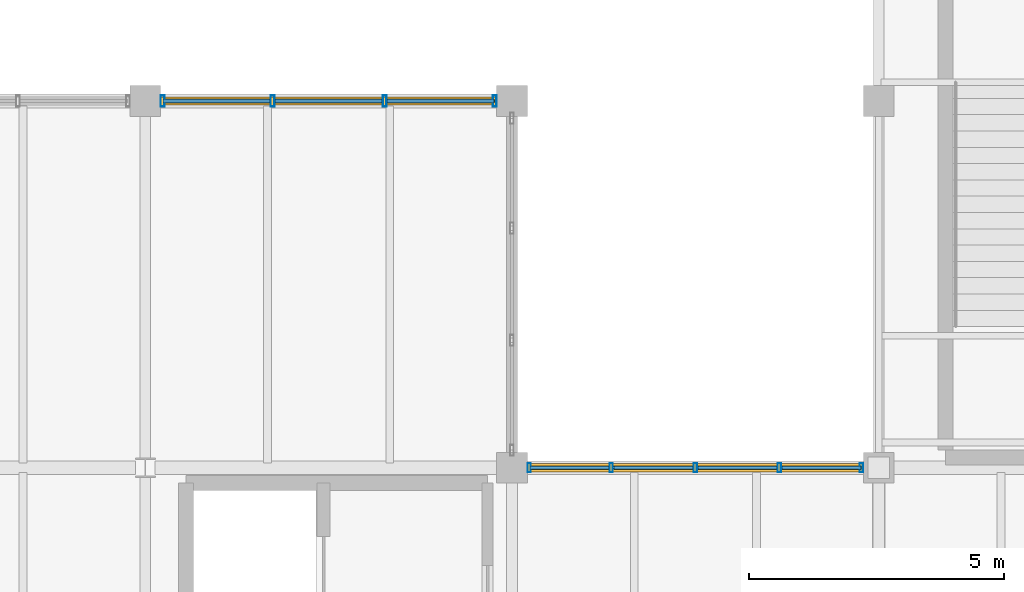
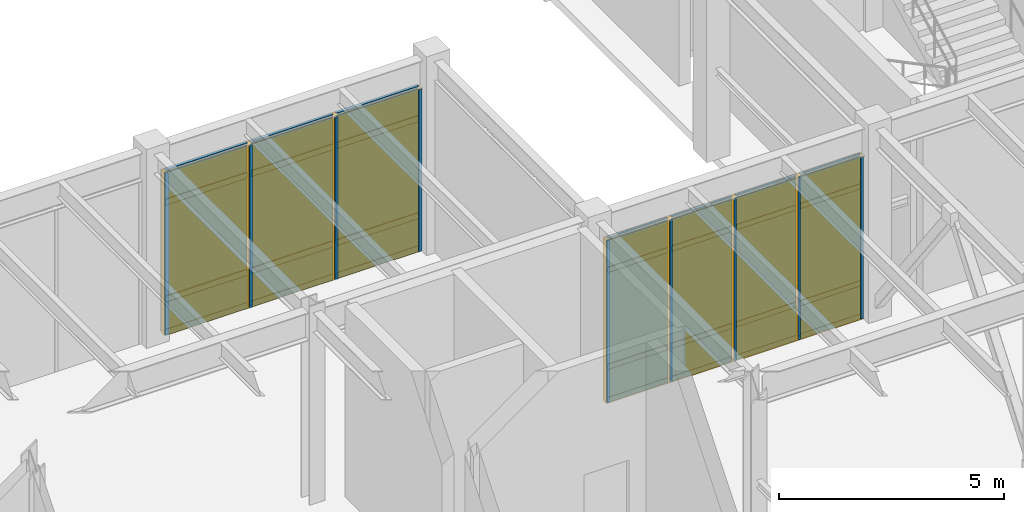
# One storey, part 62 of 97: 37 members, 14 plates, 2 curtain walls.
"""IFC4 building model written with IfcOpenShell, lengths in metres."""

from ifc_helpers import new_model, si_unit, direction, frame, origin, origin_2d, place, context, subcontext, project, spatial, rectangle, hollow_rectangle, extrude, material, layer, layer_set, material_profile, profile_set, type_object, element, aggregate, save


model = new_model("IFC4")

# Units and contexts
model_context = context("Model", 3, precision=1e-05, world=origin(), true_north=direction((0.0, 1.0)))
body_context = subcontext(model_context, "Body", "Model", "MODEL_VIEW")
ifc_project = project(units=[si_unit("LENGTHUNIT", "METRE"), si_unit("AREAUNIT", "SQUARE_METRE"), si_unit("VOLUMEUNIT", "CUBIC_METRE"), si_unit("PLANEANGLEUNIT", "RADIAN"), si_unit("MASSUNIT", "GRAM", prefix="KILO")], contexts=[model_context])

# Member
ifc_material_1 = material(Name="Anodized Aluminium 6063-T6", Category="aluminium")
ifc_material_profile_1 = material_profile(ifc_material_1, hollow_rectangle(XDim=0.06494140625, YDim=0.179931640625, WallThickness=0.00390625, at=origin_2d()), Name="ALU 65x180x4")
ifc_profile_set_1 = profile_set([ifc_material_profile_1], Name="Anodized Aluminium 6063-T6")
member_type_1 = type_object("IfcMemberType", Name="CWM-65X150", PredefinedType="MULLION", material=ifc_profile_set_1)
site_placement = place(None, origin())
building_placement = place(site_placement, origin())
storey_placement = place(building_placement, origin())
member_1_placement = place(storey_placement, frame((115.5400390625, 50.39990234375, 0.02001953125), z_axis=(0.0, 0.0, 1.0), x_axis=(1.0, 0.0, 0.0)))
member_1 = element("IfcMember", 1, at=member_1_placement, type_object=member_type_1, Name="Curtain wall mullion CW-L01-16-06-N-00", PredefinedType="MULLION", context=body_context, shape_type="SweptSolid", body=[
    extrude(hollow_rectangle(XDim=0.06494140625, YDim=0.179931640625, WallThickness=0.00390625, at=origin_2d()), origin(), (0.0, 0.0, 1.0), 4.39794921875),
])

member_2_placement = place(storey_placement, frame((117.14990234375, 50.39990234375, 0.02001953125), z_axis=(0.0, 0.0, 1.0), x_axis=(1.0, 0.0, 0.0)))
member_2 = element("IfcMember", 2, at=member_2_placement, type_object=member_type_1, Name="Curtain wall mullion CW-L01-16-06-N-01", PredefinedType="MULLION", context=body_context, shape_type="SweptSolid", body=[
    extrude(hollow_rectangle(XDim=0.06494140625, YDim=0.179931640625, WallThickness=0.00390625, at=origin_2d()), origin(), (0.0, 0.0, 1.0), 4.39794921875),
])

member_3_placement = place(storey_placement, frame((118.800048828125, 50.39990234375, 0.02001953125), z_axis=(0.0, 0.0, 1.0), x_axis=(1.0, 0.0, 0.0)))
member_3 = element("IfcMember", 3, at=member_3_placement, type_object=member_type_1, Name="Curtain wall mullion CW-L01-16-06-N-02", PredefinedType="MULLION", context=body_context, shape_type="SweptSolid", body=[
    extrude(hollow_rectangle(XDim=0.06494140625, YDim=0.179931640625, WallThickness=0.00390625, at=origin_2d()), origin(), (0.0, 0.0, 1.0), 4.39794921875),
])

member_4_placement = place(storey_placement, frame((120.449951171875, 50.39990234375, 0.02001953125), z_axis=(0.0, 0.0, 1.0), x_axis=(1.0, 0.0, 0.0)))
member_4 = element("IfcMember", 4, at=member_4_placement, type_object=member_type_1, Name="Curtain wall mullion CW-L01-16-06-N-03", PredefinedType="MULLION", context=body_context, shape_type="SweptSolid", body=[
    extrude(hollow_rectangle(XDim=0.06494140625, YDim=0.179931640625, WallThickness=0.00390625, at=origin_2d()), origin(), (0.0, 0.0, 1.0), 4.39794921875),
])

member_5_placement = place(storey_placement, frame((122.06005859375, 50.39990234375, 0.02001953125), z_axis=(0.0, 0.0, 1.0), x_axis=(1.0, 0.0, 0.0)))
member_5 = element("IfcMember", 5, at=member_5_placement, type_object=member_type_1, Name="Curtain wall mullion CW-L01-16-06-N-04", PredefinedType="MULLION", context=body_context, shape_type="SweptSolid", body=[
    extrude(hollow_rectangle(XDim=0.06494140625, YDim=0.179931640625, WallThickness=0.00390625, at=origin_2d()), origin(), (0.0, 0.0, 1.0), 4.39794921875),
])

ifc_material_profile_2 = material_profile(ifc_material_1, hollow_rectangle(XDim=0.074951171875, YDim=0.219970703125, WallThickness=0.0048828125, at=origin_2d()), Name="ALU 75x220x5")
ifc_profile_set_2 = profile_set([ifc_material_profile_2], Name="Anodized Aluminium 6063-T6")
member_type_2 = type_object("IfcMemberType", Name="CWM-75X180", PredefinedType="MULLION", material=ifc_profile_set_2)
member_6_placement = place(storey_placement, frame((108.340087890625, 57.60009765625, 0.02001953125), z_axis=(0.0, 0.0, 1.0), x_axis=(1.0, 0.0, 0.0)))
member_6 = element("IfcMember", 6, at=member_6_placement, type_object=member_type_2, Name="Curtain wall mullion CW-L01-15-07-N-00", PredefinedType="MULLION", context=body_context, shape_type="SweptSolid", body=[
    extrude(hollow_rectangle(XDim=0.074951171875, YDim=0.219970703125, WallThickness=0.0048828125, at=origin_2d()), origin(), (0.0, 0.0, 1.0), 4.39794921875),
])

member_7_placement = place(storey_placement, frame((110.5, 57.60009765625, 0.02001953125), z_axis=(0.0, 0.0, 1.0), x_axis=(1.0, 0.0, 0.0)))
member_7 = element("IfcMember", 7, at=member_7_placement, type_object=member_type_2, Name="Curtain wall mullion CW-L01-15-07-N-01", PredefinedType="MULLION", context=body_context, shape_type="SweptSolid", body=[
    extrude(hollow_rectangle(XDim=0.074951171875, YDim=0.219970703125, WallThickness=0.0048828125, at=origin_2d()), origin(), (0.0, 0.0, 1.0), 4.39794921875),
])

member_8_placement = place(storey_placement, frame((112.699951171875, 57.60009765625, 0.02001953125), z_axis=(0.0, 0.0, 1.0), x_axis=(1.0, 0.0, 0.0)))
member_8 = element("IfcMember", 8, at=member_8_placement, type_object=member_type_2, Name="Curtain wall mullion CW-L01-15-07-N-02", PredefinedType="MULLION", context=body_context, shape_type="SweptSolid", body=[
    extrude(hollow_rectangle(XDim=0.074951171875, YDim=0.219970703125, WallThickness=0.0048828125, at=origin_2d()), origin(), (0.0, 0.0, 1.0), 4.39794921875),
])

member_9_placement = place(storey_placement, frame((114.860107421875, 57.60009765625, 0.02001953125), z_axis=(0.0, 0.0, 1.0), x_axis=(1.0, 0.0, 0.0)))
member_9 = element("IfcMember", 9, at=member_9_placement, type_object=member_type_2, Name="Curtain wall mullion CW-L01-15-07-N-03", PredefinedType="MULLION", context=body_context, shape_type="SweptSolid", body=[
    extrude(hollow_rectangle(XDim=0.074951171875, YDim=0.219970703125, WallThickness=0.0048828125, at=origin_2d()), origin(), (0.0, 0.0, 1.0), 4.39794921875),
])

ifc_material_profile_3 = material_profile(ifc_material_1, hollow_rectangle(XDim=0.06494140625, YDim=0.139892578125, WallThickness=0.00390625, at=origin_2d()), Name="ALU 65x140x4")
ifc_profile_set_3 = profile_set([ifc_material_profile_3], Name="Anodized Aluminium 6063-T6")
member_type_3 = type_object("IfcMemberType", Name="CWT-65X120", PredefinedType="USERDEFINED", material=ifc_profile_set_3)
member_10_placement = place(storey_placement, frame((115.550048828125, 50.39990234375, 0.050048828125), z_axis=(1.0, 0.0, 0.0), x_axis=(0.0, 1.0, 0.0)))
member_10 = element("IfcMember", 10, at=member_10_placement, type_object=member_type_3, Name="Curtain wall transom CW-L01-16-06-N-1.01", ObjectType="TRANSOM", PredefinedType="USERDEFINED", context=body_context, shape_type="SweptSolid", body=[
    extrude(hollow_rectangle(XDim=0.06494140625, YDim=0.139892578125, WallThickness=0.00390625, at=origin_2d()), origin(), (0.0, 0.0, 1.0), 1.550048828125),
])

member_11_placement = place(storey_placement, frame((117.199951171875, 50.39990234375, 0.050048828125), z_axis=(1.0, 0.0, 0.0), x_axis=(0.0, 1.0, 0.0)))
member_11 = element("IfcMember", 11, at=member_11_placement, type_object=member_type_3, Name="Curtain wall transom CW-L01-16-06-N-1.02", ObjectType="TRANSOM", PredefinedType="USERDEFINED", context=body_context, shape_type="SweptSolid", body=[
    extrude(hollow_rectangle(XDim=0.06494140625, YDim=0.139892578125, WallThickness=0.00390625, at=origin_2d()), origin(), (0.0, 0.0, 1.0), 1.550048828125),
])

member_12_placement = place(storey_placement, frame((118.85009765625, 50.39990234375, 0.050048828125), z_axis=(1.0, 0.0, 0.0), x_axis=(0.0, 1.0, 0.0)))
member_12 = element("IfcMember", 12, at=member_12_placement, type_object=member_type_3, Name="Curtain wall transom CW-L01-16-06-N-1.03", ObjectType="TRANSOM", PredefinedType="USERDEFINED", context=body_context, shape_type="SweptSolid", body=[
    extrude(hollow_rectangle(XDim=0.06494140625, YDim=0.139892578125, WallThickness=0.00390625, at=origin_2d()), origin(), (0.0, 0.0, 1.0), 1.5498046875),
])

member_13_placement = place(storey_placement, frame((120.5, 50.39990234375, 0.050048828125), z_axis=(1.0, 0.0, 0.0), x_axis=(0.0, 1.0, 0.0)))
member_13 = element("IfcMember", 13, at=member_13_placement, type_object=member_type_3, Name="Curtain wall transom CW-L01-16-06-N-1.04", ObjectType="TRANSOM", PredefinedType="USERDEFINED", context=body_context, shape_type="SweptSolid", body=[
    extrude(hollow_rectangle(XDim=0.06494140625, YDim=0.139892578125, WallThickness=0.00390625, at=origin_2d()), origin(), (0.0, 0.0, 1.0), 1.550048828125),
])

member_14_placement = place(storey_placement, frame((115.550048828125, 50.39990234375, 0.949951171875), z_axis=(1.0, 0.0, 0.0), x_axis=(0.0, 1.0, 0.0)))
member_14 = element("IfcMember", 14, at=member_14_placement, type_object=member_type_3, Name="Curtain wall transom CW-L01-16-06-N-2.01", ObjectType="TRANSOM", PredefinedType="USERDEFINED", context=body_context, shape_type="SweptSolid", body=[
    extrude(hollow_rectangle(XDim=0.06494140625, YDim=0.139892578125, WallThickness=0.00390625, at=origin_2d()), origin(), (0.0, 0.0, 1.0), 1.550048828125),
])

member_15_placement = place(storey_placement, frame((117.199951171875, 50.39990234375, 0.949951171875), z_axis=(1.0, 0.0, 0.0), x_axis=(0.0, 1.0, 0.0)))
member_15 = element("IfcMember", 15, at=member_15_placement, type_object=member_type_3, Name="Curtain wall transom CW-L01-16-06-N-2.02", ObjectType="TRANSOM", PredefinedType="USERDEFINED", context=body_context, shape_type="SweptSolid", body=[
    extrude(hollow_rectangle(XDim=0.06494140625, YDim=0.139892578125, WallThickness=0.00390625, at=origin_2d()), origin(), (0.0, 0.0, 1.0), 1.550048828125),
])

member_16_placement = place(storey_placement, frame((118.85009765625, 50.39990234375, 0.949951171875), z_axis=(1.0, 0.0, 0.0), x_axis=(0.0, 1.0, 0.0)))
member_16 = element("IfcMember", 16, at=member_16_placement, type_object=member_type_3, Name="Curtain wall transom CW-L01-16-06-N-2.03", ObjectType="TRANSOM", PredefinedType="USERDEFINED", context=body_context, shape_type="SweptSolid", body=[
    extrude(hollow_rectangle(XDim=0.06494140625, YDim=0.139892578125, WallThickness=0.00390625, at=origin_2d()), origin(), (0.0, 0.0, 1.0), 1.5498046875),
])

member_17_placement = place(storey_placement, frame((120.5, 50.39990234375, 0.949951171875), z_axis=(1.0, 0.0, 0.0), x_axis=(0.0, 1.0, 0.0)))
member_17 = element("IfcMember", 17, at=member_17_placement, type_object=member_type_3, Name="Curtain wall transom CW-L01-16-06-N-2.04", ObjectType="TRANSOM", PredefinedType="USERDEFINED", context=body_context, shape_type="SweptSolid", body=[
    extrude(hollow_rectangle(XDim=0.06494140625, YDim=0.139892578125, WallThickness=0.00390625, at=origin_2d()), origin(), (0.0, 0.0, 1.0), 1.550048828125),
])

member_18_placement = place(storey_placement, frame((115.550048828125, 50.39990234375, 3.587890625), z_axis=(1.0, 0.0, 0.0), x_axis=(0.0, 1.0, 0.0)))
member_18 = element("IfcMember", 18, at=member_18_placement, type_object=member_type_3, Name="Curtain wall transom CW-L01-16-06-N-3.01", ObjectType="TRANSOM", PredefinedType="USERDEFINED", context=body_context, shape_type="SweptSolid", body=[
    extrude(hollow_rectangle(XDim=0.06494140625, YDim=0.139892578125, WallThickness=0.00390625, at=origin_2d()), origin(), (0.0, 0.0, 1.0), 1.550048828125),
])

member_19_placement = place(storey_placement, frame((117.199951171875, 50.39990234375, 3.587890625), z_axis=(1.0, 0.0, 0.0), x_axis=(0.0, 1.0, 0.0)))
member_19 = element("IfcMember", 19, at=member_19_placement, type_object=member_type_3, Name="Curtain wall transom CW-L01-16-06-N-3.02", ObjectType="TRANSOM", PredefinedType="USERDEFINED", context=body_context, shape_type="SweptSolid", body=[
    extrude(hollow_rectangle(XDim=0.06494140625, YDim=0.139892578125, WallThickness=0.00390625, at=origin_2d()), origin(), (0.0, 0.0, 1.0), 1.550048828125),
])

member_20_placement = place(storey_placement, frame((118.85009765625, 50.39990234375, 3.587890625), z_axis=(1.0, 0.0, 0.0), x_axis=(0.0, 1.0, 0.0)))
member_20 = element("IfcMember", 20, at=member_20_placement, type_object=member_type_3, Name="Curtain wall transom CW-L01-16-06-N-3.03", ObjectType="TRANSOM", PredefinedType="USERDEFINED", context=body_context, shape_type="SweptSolid", body=[
    extrude(hollow_rectangle(XDim=0.06494140625, YDim=0.139892578125, WallThickness=0.00390625, at=origin_2d()), origin(), (0.0, 0.0, 1.0), 1.5498046875),
])

member_21_placement = place(storey_placement, frame((120.5, 50.39990234375, 3.587890625), z_axis=(1.0, 0.0, 0.0), x_axis=(0.0, 1.0, 0.0)))
member_21 = element("IfcMember", 21, at=member_21_placement, type_object=member_type_3, Name="Curtain wall transom CW-L01-16-06-N-3.04", ObjectType="TRANSOM", PredefinedType="USERDEFINED", context=body_context, shape_type="SweptSolid", body=[
    extrude(hollow_rectangle(XDim=0.06494140625, YDim=0.139892578125, WallThickness=0.00390625, at=origin_2d()), origin(), (0.0, 0.0, 1.0), 1.550048828125),
])

member_22_placement = place(storey_placement, frame((115.550048828125, 50.39990234375, 4.387939453125), z_axis=(1.0, 0.0, 0.0), x_axis=(0.0, 1.0, 0.0)))
member_22 = element("IfcMember", 22, at=member_22_placement, type_object=member_type_3, Name="Curtain wall transom CW-L01-16-06-N-4.01", ObjectType="TRANSOM", PredefinedType="USERDEFINED", context=body_context, shape_type="SweptSolid", body=[
    extrude(hollow_rectangle(XDim=0.06494140625, YDim=0.139892578125, WallThickness=0.00390625, at=origin_2d()), origin(), (0.0, 0.0, 1.0), 1.550048828125),
])

member_23_placement = place(storey_placement, frame((117.199951171875, 50.39990234375, 4.387939453125), z_axis=(1.0, 0.0, 0.0), x_axis=(0.0, 1.0, 0.0)))
member_23 = element("IfcMember", 23, at=member_23_placement, type_object=member_type_3, Name="Curtain wall transom CW-L01-16-06-N-4.02", ObjectType="TRANSOM", PredefinedType="USERDEFINED", context=body_context, shape_type="SweptSolid", body=[
    extrude(hollow_rectangle(XDim=0.06494140625, YDim=0.139892578125, WallThickness=0.00390625, at=origin_2d()), origin(), (0.0, 0.0, 1.0), 1.550048828125),
])

member_24_placement = place(storey_placement, frame((118.85009765625, 50.39990234375, 4.387939453125), z_axis=(1.0, 0.0, 0.0), x_axis=(0.0, 1.0, 0.0)))
member_24 = element("IfcMember", 24, at=member_24_placement, type_object=member_type_3, Name="Curtain wall transom CW-L01-16-06-N-4.03", ObjectType="TRANSOM", PredefinedType="USERDEFINED", context=body_context, shape_type="SweptSolid", body=[
    extrude(hollow_rectangle(XDim=0.06494140625, YDim=0.139892578125, WallThickness=0.00390625, at=origin_2d()), origin(), (0.0, 0.0, 1.0), 1.5498046875),
])

member_25_placement = place(storey_placement, frame((120.5, 50.39990234375, 4.387939453125), z_axis=(1.0, 0.0, 0.0), x_axis=(0.0, 1.0, 0.0)))
member_25 = element("IfcMember", 25, at=member_25_placement, type_object=member_type_3, Name="Curtain wall transom CW-L01-16-06-N-4.04", ObjectType="TRANSOM", PredefinedType="USERDEFINED", context=body_context, shape_type="SweptSolid", body=[
    extrude(hollow_rectangle(XDim=0.06494140625, YDim=0.139892578125, WallThickness=0.00390625, at=origin_2d()), origin(), (0.0, 0.0, 1.0), 1.550048828125),
])

ifc_material_profile_4 = material_profile(ifc_material_1, hollow_rectangle(XDim=0.074951171875, YDim=0.159912109375, WallThickness=0.00390625, at=origin_2d()), Name="ALU 75x160x4")
ifc_profile_set_4 = profile_set([ifc_material_profile_4], Name="Anodized Aluminium 6063-T6")
member_type_4 = type_object("IfcMemberType", Name="CWT-75X150", PredefinedType="USERDEFINED", material=ifc_profile_set_4)
member_26_placement = place(storey_placement, frame((108.35009765625, 57.60009765625, 0.050048828125), z_axis=(1.0, 0.0, 0.0), x_axis=(0.0, 1.0, 0.0)))
member_26 = element("IfcMember", 26, at=member_26_placement, type_object=member_type_4, Name="Curtain wall transom CW-L01-15-07-N-1.01", ObjectType="TRANSOM", PredefinedType="USERDEFINED", context=body_context, shape_type="SweptSolid", body=[
    extrude(hollow_rectangle(XDim=0.074951171875, YDim=0.159912109375, WallThickness=0.00390625, at=origin_2d()), origin(), (0.0, 0.0, 1.0), 2.099853515625),
])

member_27_placement = place(storey_placement, frame((110.550048828125, 57.60009765625, 0.050048828125), z_axis=(1.0, 0.0, 0.0), x_axis=(0.0, 1.0, 0.0)))
member_27 = element("IfcMember", 27, at=member_27_placement, type_object=member_type_4, Name="Curtain wall transom CW-L01-15-07-N-1.02", ObjectType="TRANSOM", PredefinedType="USERDEFINED", context=body_context, shape_type="SweptSolid", body=[
    extrude(hollow_rectangle(XDim=0.074951171875, YDim=0.159912109375, WallThickness=0.00390625, at=origin_2d()), origin(), (0.0, 0.0, 1.0), 2.099853515625),
])

member_28_placement = place(storey_placement, frame((112.75, 57.60009765625, 0.050048828125), z_axis=(1.0, 0.0, 0.0), x_axis=(0.0, 1.0, 0.0)))
member_28 = element("IfcMember", 28, at=member_28_placement, type_object=member_type_4, Name="Curtain wall transom CW-L01-15-07-N-1.03", ObjectType="TRANSOM", PredefinedType="USERDEFINED", context=body_context, shape_type="SweptSolid", body=[
    extrude(hollow_rectangle(XDim=0.074951171875, YDim=0.159912109375, WallThickness=0.00390625, at=origin_2d()), origin(), (0.0, 0.0, 1.0), 2.10009765625),
])

member_29_placement = place(storey_placement, frame((108.35009765625, 57.60009765625, 0.949951171875), z_axis=(1.0, 0.0, 0.0), x_axis=(0.0, 1.0, 0.0)))
member_29 = element("IfcMember", 29, at=member_29_placement, type_object=member_type_4, Name="Curtain wall transom CW-L01-15-07-N-2.01", ObjectType="TRANSOM", PredefinedType="USERDEFINED", context=body_context, shape_type="SweptSolid", body=[
    extrude(hollow_rectangle(XDim=0.074951171875, YDim=0.159912109375, WallThickness=0.00390625, at=origin_2d()), origin(), (0.0, 0.0, 1.0), 2.099853515625),
])

member_30_placement = place(storey_placement, frame((110.550048828125, 57.60009765625, 0.949951171875), z_axis=(1.0, 0.0, 0.0), x_axis=(0.0, 1.0, 0.0)))
member_30 = element("IfcMember", 30, at=member_30_placement, type_object=member_type_4, Name="Curtain wall transom CW-L01-15-07-N-2.02", ObjectType="TRANSOM", PredefinedType="USERDEFINED", context=body_context, shape_type="SweptSolid", body=[
    extrude(hollow_rectangle(XDim=0.074951171875, YDim=0.159912109375, WallThickness=0.00390625, at=origin_2d()), origin(), (0.0, 0.0, 1.0), 2.099853515625),
])

member_31_placement = place(storey_placement, frame((112.75, 57.60009765625, 0.949951171875), z_axis=(1.0, 0.0, 0.0), x_axis=(0.0, 1.0, 0.0)))
member_31 = element("IfcMember", 31, at=member_31_placement, type_object=member_type_4, Name="Curtain wall transom CW-L01-15-07-N-2.03", ObjectType="TRANSOM", PredefinedType="USERDEFINED", context=body_context, shape_type="SweptSolid", body=[
    extrude(hollow_rectangle(XDim=0.074951171875, YDim=0.159912109375, WallThickness=0.00390625, at=origin_2d()), origin(), (0.0, 0.0, 1.0), 2.10009765625),
])

member_32_placement = place(storey_placement, frame((108.35009765625, 57.60009765625, 3.587890625), z_axis=(1.0, 0.0, 0.0), x_axis=(0.0, 1.0, 0.0)))
member_32 = element("IfcMember", 32, at=member_32_placement, type_object=member_type_4, Name="Curtain wall transom CW-L01-15-07-N-3.01", ObjectType="TRANSOM", PredefinedType="USERDEFINED", context=body_context, shape_type="SweptSolid", body=[
    extrude(hollow_rectangle(XDim=0.074951171875, YDim=0.159912109375, WallThickness=0.00390625, at=origin_2d()), origin(), (0.0, 0.0, 1.0), 2.099853515625),
])

member_33_placement = place(storey_placement, frame((110.550048828125, 57.60009765625, 3.587890625), z_axis=(1.0, 0.0, 0.0), x_axis=(0.0, 1.0, 0.0)))
member_33 = element("IfcMember", 33, at=member_33_placement, type_object=member_type_4, Name="Curtain wall transom CW-L01-15-07-N-3.02", ObjectType="TRANSOM", PredefinedType="USERDEFINED", context=body_context, shape_type="SweptSolid", body=[
    extrude(hollow_rectangle(XDim=0.074951171875, YDim=0.159912109375, WallThickness=0.00390625, at=origin_2d()), origin(), (0.0, 0.0, 1.0), 2.099853515625),
])

member_34_placement = place(storey_placement, frame((112.75, 57.60009765625, 3.587890625), z_axis=(1.0, 0.0, 0.0), x_axis=(0.0, 1.0, 0.0)))
member_34 = element("IfcMember", 34, at=member_34_placement, type_object=member_type_4, Name="Curtain wall transom CW-L01-15-07-N-3.03", ObjectType="TRANSOM", PredefinedType="USERDEFINED", context=body_context, shape_type="SweptSolid", body=[
    extrude(hollow_rectangle(XDim=0.074951171875, YDim=0.159912109375, WallThickness=0.00390625, at=origin_2d()), origin(), (0.0, 0.0, 1.0), 2.10009765625),
])

member_35_placement = place(storey_placement, frame((108.35009765625, 57.60009765625, 4.387939453125), z_axis=(1.0, 0.0, 0.0), x_axis=(0.0, 1.0, 0.0)))
member_35 = element("IfcMember", 35, at=member_35_placement, type_object=member_type_4, Name="Curtain wall transom CW-L01-15-07-N-4.01", ObjectType="TRANSOM", PredefinedType="USERDEFINED", context=body_context, shape_type="SweptSolid", body=[
    extrude(hollow_rectangle(XDim=0.074951171875, YDim=0.159912109375, WallThickness=0.00390625, at=origin_2d()), origin(), (0.0, 0.0, 1.0), 2.099853515625),
])

member_36_placement = place(storey_placement, frame((110.550048828125, 57.60009765625, 4.387939453125), z_axis=(1.0, 0.0, 0.0), x_axis=(0.0, 1.0, 0.0)))
member_36 = element("IfcMember", 36, at=member_36_placement, type_object=member_type_4, Name="Curtain wall transom CW-L01-15-07-N-4.02", ObjectType="TRANSOM", PredefinedType="USERDEFINED", context=body_context, shape_type="SweptSolid", body=[
    extrude(hollow_rectangle(XDim=0.074951171875, YDim=0.159912109375, WallThickness=0.00390625, at=origin_2d()), origin(), (0.0, 0.0, 1.0), 2.099853515625),
])

member_37_placement = place(storey_placement, frame((112.75, 57.60009765625, 4.387939453125), z_axis=(1.0, 0.0, 0.0), x_axis=(0.0, 1.0, 0.0)))
member_37 = element("IfcMember", 37, at=member_37_placement, type_object=member_type_4, Name="Curtain wall transom CW-L01-15-07-N-4.03", ObjectType="TRANSOM", PredefinedType="USERDEFINED", context=body_context, shape_type="SweptSolid", body=[
    extrude(hollow_rectangle(XDim=0.074951171875, YDim=0.159912109375, WallThickness=0.00390625, at=origin_2d()), origin(), (0.0, 0.0, 1.0), 2.10009765625),
])

# Plate
ifc_material_2 = material(Name="Double Low-E Insulated Glazing Unit", Category="glass")
ifc_layer_1 = layer(ifc_material_2, 0.0380859375)
ifc_layer_set_1 = layer_set([ifc_layer_1], Name="Double Low-E Insulated Glazing Unit")
plate_type_1 = type_object("IfcPlateType", Name="CWP-IGU-38", PredefinedType="CURTAIN_PANEL", material=ifc_layer_set_1)
plate_1_placement = place(storey_placement, frame((116.324951171875, 50.39990234375, 0.990234375), z_axis=(0.0, 0.0, 1.0), x_axis=(1.0, 0.0, 0.0)))
plate_1 = element("IfcPlate", 38, at=plate_1_placement, type_object=plate_type_1, Name="Curtain wall vision glazing CW-L01-16-06-N-01", PredefinedType="CURTAIN_PANEL", context=body_context, shape_type="SweptSolid", body=[
    extrude(rectangle(XDim=1.56005859375, YDim=0.0400390625, at=origin_2d()), origin(), (0.0, 0.0, 1.0), 3.387939453125),
])

plate_2_placement = place(storey_placement, frame((117.97509765625, 50.39990234375, 0.990234375), z_axis=(0.0, 0.0, 1.0), x_axis=(1.0, 0.0, 0.0)))
plate_2 = element("IfcPlate", 39, at=plate_2_placement, type_object=plate_type_1, Name="Curtain wall vision glazing CW-L01-16-06-N-02", PredefinedType="CURTAIN_PANEL", context=body_context, shape_type="SweptSolid", body=[
    extrude(rectangle(XDim=1.56005859375, YDim=0.0400390625, at=origin_2d()), origin(), (0.0, 0.0, 1.0), 3.387939453125),
])

plate_3_placement = place(storey_placement, frame((119.625, 50.39990234375, 0.990234375), z_axis=(0.0, 0.0, 1.0), x_axis=(1.0, 0.0, 0.0)))
plate_3 = element("IfcPlate", 40, at=plate_3_placement, type_object=plate_type_1, Name="Curtain wall vision glazing CW-L01-16-06-N-03", PredefinedType="CURTAIN_PANEL", context=body_context, shape_type="SweptSolid", body=[
    extrude(rectangle(XDim=1.56005859375, YDim=0.0400390625, at=origin_2d()), origin(), (0.0, 0.0, 1.0), 3.387939453125),
])

plate_4_placement = place(storey_placement, frame((121.27490234375, 50.39990234375, 0.990234375), z_axis=(0.0, 0.0, 1.0), x_axis=(1.0, 0.0, 0.0)))
plate_4 = element("IfcPlate", 41, at=plate_4_placement, type_object=plate_type_1, Name="Curtain wall vision glazing CW-L01-16-06-N-04", PredefinedType="CURTAIN_PANEL", context=body_context, shape_type="SweptSolid", body=[
    extrude(rectangle(XDim=1.56005859375, YDim=0.0400390625, at=origin_2d()), origin(), (0.0, 0.0, 1.0), 3.387939453125),
])

ifc_material_3 = material(Name="Acoustic Laminated Low-E Glazing", Category="glass")
ifc_layer_2 = layer(ifc_material_3, 0.0439453125)
ifc_layer_set_2 = layer_set([ifc_layer_2], Name="Acoustic Laminated Low-E Glazing")
plate_type_2 = type_object("IfcPlateType", Name="CWP-IGU-44", PredefinedType="CURTAIN_PANEL", material=ifc_layer_set_2)
plate_5_placement = place(storey_placement, frame((109.39990234375, 57.60009765625, 0.990234375), z_axis=(0.0, 0.0, 1.0), x_axis=(1.0, 0.0, 0.0)))
plate_5 = element("IfcPlate", 42, at=plate_5_placement, type_object=plate_type_2, Name="Curtain wall vision glazing CW-L01-15-07-N-01", PredefinedType="CURTAIN_PANEL", context=body_context, shape_type="SweptSolid", body=[
    extrude(rectangle(XDim=2.110107421875, YDim=0.0400390625, at=origin_2d()), origin(), (0.0, 0.0, 1.0), 3.387939453125),
])

plate_6_placement = place(storey_placement, frame((111.60009765625, 57.60009765625, 0.990234375), z_axis=(0.0, 0.0, 1.0), x_axis=(1.0, 0.0, 0.0)))
plate_6 = element("IfcPlate", 43, at=plate_6_placement, type_object=plate_type_2, Name="Curtain wall vision glazing CW-L01-15-07-N-02", PredefinedType="CURTAIN_PANEL", context=body_context, shape_type="SweptSolid", body=[
    extrude(rectangle(XDim=2.110107421875, YDim=0.0400390625, at=origin_2d()), origin(), (0.0, 0.0, 1.0), 3.387939453125),
])

plate_7_placement = place(storey_placement, frame((113.800048828125, 57.60009765625, 0.990234375), z_axis=(0.0, 0.0, 1.0), x_axis=(1.0, 0.0, 0.0)))
plate_7 = element("IfcPlate", 44, at=plate_7_placement, type_object=plate_type_2, Name="Curtain wall vision glazing CW-L01-15-07-N-03", PredefinedType="CURTAIN_PANEL", context=body_context, shape_type="SweptSolid", body=[
    extrude(rectangle(XDim=2.110107421875, YDim=0.0400390625, at=origin_2d()), origin(), (0.0, 0.0, 1.0), 3.387939453125),
])

ifc_material_4 = material(Name="Insulated Bronze Aluminium Spandrel", Category="aluminium")
ifc_layer_3 = layer(ifc_material_4, 0.06005859375)
ifc_layer_set_3 = layer_set([ifc_layer_3], Name="Insulated Bronze Aluminium Spandrel")
plate_type_3 = type_object("IfcPlateType", Name="CWP-SPN-60", PredefinedType="CURTAIN_PANEL", material=ifc_layer_set_3)
plate_8_placement = place(storey_placement, frame((116.324951171875, 50.39990234375, 0.080078125), z_axis=(0.0, 0.0, 1.0), x_axis=(1.0, 0.0, 0.0)))
plate_8 = element("IfcPlate", 45, at=plate_8_placement, type_object=plate_type_3, Name="Curtain wall spandrel panel CW-L01-16-06-N-01", PredefinedType="CURTAIN_PANEL", context=body_context, shape_type="SweptSolid", body=[
    extrude(rectangle(XDim=1.56005859375, YDim=0.06005859375, at=origin_2d()), origin(), (0.0, 0.0, 1.0), 0.840087890625),
])

plate_9_placement = place(storey_placement, frame((117.97509765625, 50.39990234375, 0.080078125), z_axis=(0.0, 0.0, 1.0), x_axis=(1.0, 0.0, 0.0)))
plate_9 = element("IfcPlate", 46, at=plate_9_placement, type_object=plate_type_3, Name="Curtain wall spandrel panel CW-L01-16-06-N-02", PredefinedType="CURTAIN_PANEL", context=body_context, shape_type="SweptSolid", body=[
    extrude(rectangle(XDim=1.56005859375, YDim=0.06005859375, at=origin_2d()), origin(), (0.0, 0.0, 1.0), 0.840087890625),
])

plate_10_placement = place(storey_placement, frame((119.625, 50.39990234375, 0.080078125), z_axis=(0.0, 0.0, 1.0), x_axis=(1.0, 0.0, 0.0)))
plate_10 = element("IfcPlate", 47, at=plate_10_placement, type_object=plate_type_3, Name="Curtain wall spandrel panel CW-L01-16-06-N-03", PredefinedType="CURTAIN_PANEL", context=body_context, shape_type="SweptSolid", body=[
    extrude(rectangle(XDim=1.56005859375, YDim=0.06005859375, at=origin_2d()), origin(), (0.0, 0.0, 1.0), 0.840087890625),
])

plate_11_placement = place(storey_placement, frame((121.27490234375, 50.39990234375, 0.080078125), z_axis=(0.0, 0.0, 1.0), x_axis=(1.0, 0.0, 0.0)))
plate_11 = element("IfcPlate", 48, at=plate_11_placement, type_object=plate_type_3, Name="Curtain wall spandrel panel CW-L01-16-06-N-04", PredefinedType="CURTAIN_PANEL", context=body_context, shape_type="SweptSolid", body=[
    extrude(rectangle(XDim=1.56005859375, YDim=0.06005859375, at=origin_2d()), origin(), (0.0, 0.0, 1.0), 0.840087890625),
])

ifc_material_5 = material(Name="Insulated Stone-Composite Spandrel", Category="masonry")
ifc_layer_4 = layer(ifc_material_5, 0.068115234375)
ifc_layer_set_4 = layer_set([ifc_layer_4], Name="Insulated Stone-Composite Spandrel")
plate_type_4 = type_object("IfcPlateType", Name="CWP-SPN-68", PredefinedType="CURTAIN_PANEL", material=ifc_layer_set_4)
plate_12_placement = place(storey_placement, frame((109.39990234375, 57.60009765625, 0.080078125), z_axis=(0.0, 0.0, 1.0), x_axis=(1.0, 0.0, 0.0)))
plate_12 = element("IfcPlate", 49, at=plate_12_placement, type_object=plate_type_4, Name="Curtain wall spandrel panel CW-L01-15-07-N-01", PredefinedType="CURTAIN_PANEL", context=body_context, shape_type="SweptSolid", body=[
    extrude(rectangle(XDim=2.110107421875, YDim=0.06005859375, at=origin_2d()), origin(), (0.0, 0.0, 1.0), 0.840087890625),
])

plate_13_placement = place(storey_placement, frame((111.60009765625, 57.60009765625, 0.080078125), z_axis=(0.0, 0.0, 1.0), x_axis=(1.0, 0.0, 0.0)))
plate_13 = element("IfcPlate", 50, at=plate_13_placement, type_object=plate_type_4, Name="Curtain wall spandrel panel CW-L01-15-07-N-02", PredefinedType="CURTAIN_PANEL", context=body_context, shape_type="SweptSolid", body=[
    extrude(rectangle(XDim=2.110107421875, YDim=0.06005859375, at=origin_2d()), origin(), (0.0, 0.0, 1.0), 0.840087890625),
])

plate_14_placement = place(storey_placement, frame((113.800048828125, 57.60009765625, 0.080078125), z_axis=(0.0, 0.0, 1.0), x_axis=(1.0, 0.0, 0.0)))
plate_14 = element("IfcPlate", 51, at=plate_14_placement, type_object=plate_type_4, Name="Curtain wall spandrel panel CW-L01-15-07-N-03", PredefinedType="CURTAIN_PANEL", context=body_context, shape_type="SweptSolid", body=[
    extrude(rectangle(XDim=2.110107421875, YDim=0.06005859375, at=origin_2d()), origin(), (0.0, 0.0, 1.0), 0.840087890625),
])

# Site, building, storey
site = spatial("IfcSite", under=ifc_project, at=site_placement, CompositionType="ELEMENT")
building = spatial("IfcBuilding", under=site, at=building_placement, Name="Sillqori Civic Hall", CompositionType="ELEMENT")
storey = spatial("IfcBuildingStorey", under=building, at=storey_placement, Name="L01", CompositionType="ELEMENT", Elevation=0.0)

# Curtain wall
ifc_material_6 = material(Name="Anodized Aluminium Curtain Wall System", Category="aluminium")
curtain_wall_type_1 = type_object("IfcCurtainWallType", Name="CW-SF-480", PredefinedType="NOTDEFINED", material=ifc_material_6)
curtain_wall_1_placement = place(storey_placement, frame((111.60009765625, 57.60009765625, 0.0), z_axis=(0.0, 0.0, 1.0), x_axis=(1.0, 0.0, 0.0)))
curtain_wall_1 = element("IfcCurtainWall", 52, at=curtain_wall_1_placement, inside=storey, type_object=curtain_wall_type_1, Name="L01 unitised curtain wall CW-L01-15-07-N", PredefinedType="NOTDEFINED", context=body_context, shape_type="SweptSolid", body=[
    extrude(rectangle(XDim=6.60009765625, YDim=0.159912109375, at=origin_2d()), origin(), (0.0, 0.0, 1.0), 4.43798828125),
])

aggregate(curtain_wall_1, [member_6, member_7, member_8, member_9, member_26, member_27, member_28, member_29, member_30, member_31, member_32, member_33, member_34, member_35, member_36, member_37, plate_12, plate_5, plate_13, plate_6, plate_14, plate_7])

curtain_wall_type_2 = type_object("IfcCurtainWallType", Name="CW-SF-540", PredefinedType="NOTDEFINED", material=ifc_material_6)
curtain_wall_2_placement = place(storey_placement, frame((118.800048828125, 50.39990234375, 0.0), z_axis=(0.0, 0.0, 1.0), x_axis=(1.0, 0.0, 0.0)))
curtain_wall_2 = element("IfcCurtainWall", 53, at=curtain_wall_2_placement, inside=storey, type_object=curtain_wall_type_2, Name="L01 unitised curtain wall CW-L01-16-06-N", PredefinedType="NOTDEFINED", context=body_context, shape_type="SweptSolid", body=[
    extrude(rectangle(XDim=6.60009765625, YDim=0.159912109375, at=origin_2d()), origin(), (0.0, 0.0, 1.0), 4.43798828125),
])

aggregate(curtain_wall_2, [member_1, member_2, member_3, member_4, member_5, member_10, member_11, member_12, member_13, member_14, member_15, member_16, member_17, member_18, member_19, member_20, member_21, member_22, member_23, member_24, member_25, plate_8, plate_1, plate_9, plate_2, plate_10, plate_3, plate_11, plate_4])

save(model, "model.ifc")
